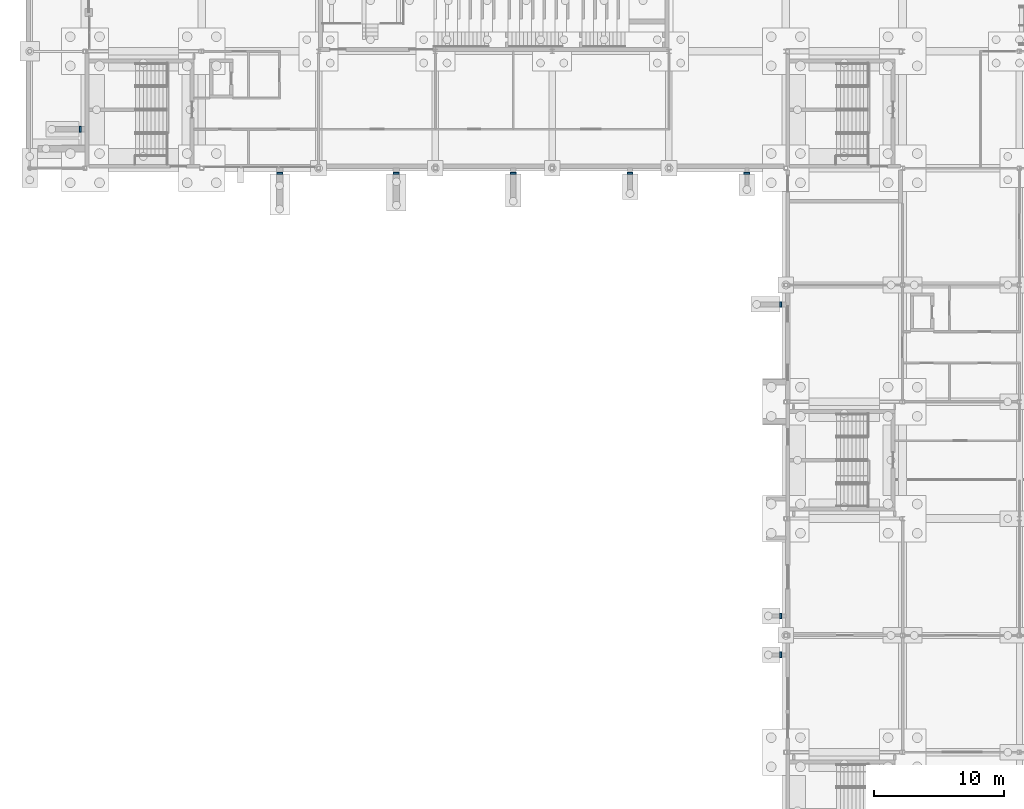
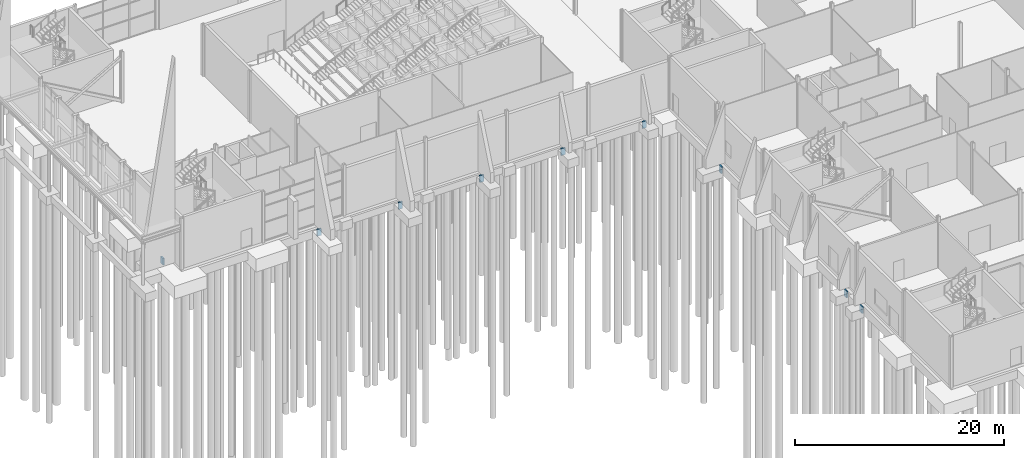
# One storey, part 11 of 139: 9 footings.
"""IFC4 building model written with IfcOpenShell, lengths in metres."""

from ifc_helpers import new_model, si_unit, direction, frame, origin, origin_2d, place, context, subcontext, project, spatial, rectangle, extrude, material, type_object, element, save


model = new_model("IFC4")

# Units and contexts
model_context = context("Model", 3, precision=1e-05, world=origin(), true_north=direction((0.0, 1.0)))
body_context = subcontext(model_context, "Body", "Model", "MODEL_VIEW")
ifc_project = project(units=[si_unit("LENGTHUNIT", "METRE"), si_unit("AREAUNIT", "SQUARE_METRE"), si_unit("VOLUMEUNIT", "CUBIC_METRE"), si_unit("PLANEANGLEUNIT", "RADIAN"), si_unit("MASSUNIT", "GRAM", prefix="KILO")], contexts=[model_context])

# Site, building, storey
site_placement = place(None, origin())
site = spatial("IfcSite", under=ifc_project, at=site_placement, CompositionType="ELEMENT")
building_placement = place(site_placement, origin())
building = spatial("IfcBuilding", under=site, at=building_placement, Name="Shorebreak Coast Museum", CompositionType="ELEMENT")
storey_placement = place(building_placement, origin())
storey = spatial("IfcBuildingStorey", under=building, at=storey_placement, Name="L00", CompositionType="ELEMENT", Elevation=0.0)

# Footings
ifc_material = material(Name="Concrete N50 (50 MPa)", Category="concrete")
footing_type = type_object("IfcFootingType", Name="Footing ground beam 450x800", PredefinedType="FOOTING_BEAM", material=ifc_material)
footing_placement = place(storey_placement, frame((-0.375, 57.0, -1.10009765625), z_axis=(0.0, 0.0, 1.0), x_axis=(1.0, 0.0, 0.0)))
element("IfcFooting", 1, at=footing_placement, inside=storey, type_object=footing_type, Name="Ground beam fin to tie W", PredefinedType="FOOTING_BEAM", context=body_context, shape_type="SweptSolid", body=[
    extrude(rectangle(XDim=0.14990234375, YDim=0.449951171875, at=origin_2d()), origin(), (0.0, 0.0, 1.0), 0.800048828125),
])
for number, where, z_axis, x_axis, name in (
    (2, (15.0, 53.625, -1.10009765625), (0.0, 0.0, 1.0), (1.0, 0.0, 0.0), "Ground beam fin to tie WS"),
    (3, (24.0, 53.625, -1.10009765625), (0.0, 0.0, 1.0), (1.0, 0.0, 0.0), "Ground beam fin to tie WS"),
    (4, (33.0, 53.625, -1.10009765625), (0.0, 0.0, 1.0), (1.0, 0.0, 0.0), "Ground beam fin to tie WS"),
    (5, (42.0, 53.625, -1.10009765625), (0.0, 0.0, 1.0), (1.0, 0.0, 0.0), "Ground beam fin to tie WS"),
    (6, (51.0, 53.625, -1.10009765625), (0.0, 0.0, 1.0), (1.0, 0.0, 0.0), "Ground beam fin to tie WS"),
):
    element("IfcFooting", number, at=place(storey_placement, frame(where, z_axis=z_axis, x_axis=x_axis)), inside=storey, type_object=footing_type, Name=name, PredefinedType="FOOTING_BEAM", context=body_context, shape_type="SweptSolid", body=[
        extrude(rectangle(XDim=0.449951171875, YDim=0.14990234375, at=origin_2d()), origin(), (0.0, 0.0, 1.0), 0.800048828125),
    ])
for number, where, z_axis, x_axis, name in (
    (7, (53.625, 16.5, -1.10009765625), (0.0, 0.0, 1.0), (1.0, 0.0, 0.0), "Ground beam fin to tie SW"),
    (8, (53.625, 19.5, -1.10009765625), (0.0, 0.0, 1.0), (1.0, 0.0, 0.0), "Ground beam fin to tie SW"),
    (9, (53.625, 43.5, -1.10009765625), (0.0, 0.0, 1.0), (1.0, 0.0, 0.0), "Ground beam fin to tie SW"),
):
    element("IfcFooting", number, at=place(storey_placement, frame(where, z_axis=z_axis, x_axis=x_axis)), inside=storey, type_object=footing_type, Name=name, PredefinedType="FOOTING_BEAM", context=body_context, shape_type="SweptSolid", body=[
        extrude(rectangle(XDim=0.14990234375, YDim=0.449951171875, at=origin_2d()), origin(), (0.0, 0.0, 1.0), 0.800048828125),
    ])

save(model, "model.ifc")
